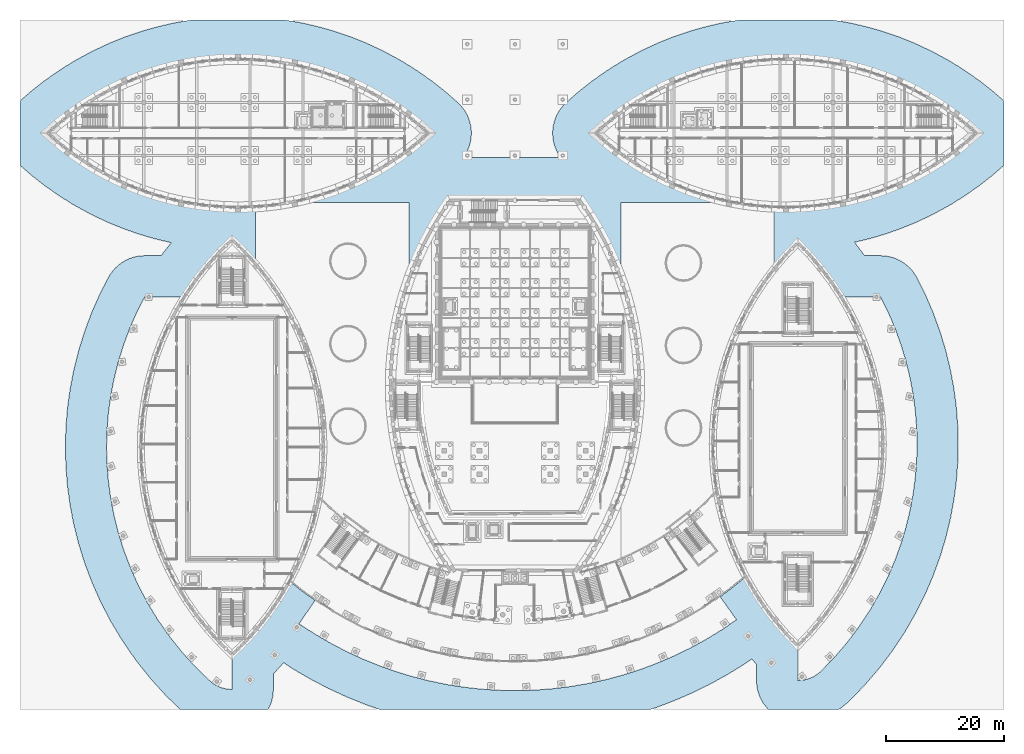
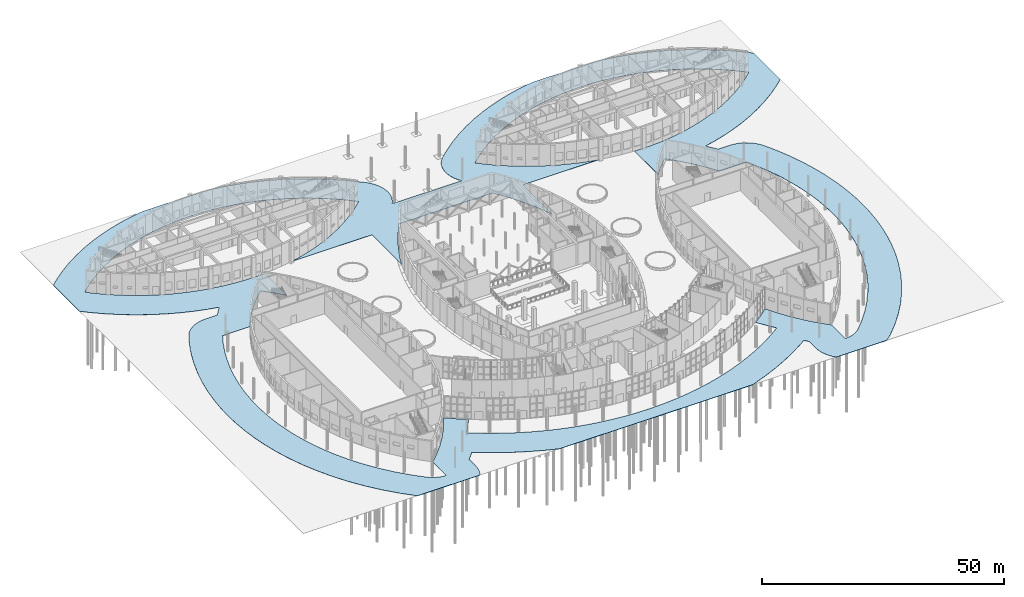
# One storey, part 35 of 82: 1 slab.
"""IFC4 building model written with IfcOpenShell, lengths in metres."""

from ifc_helpers import new_model, si_unit, direction, frame, origin, place, context, subcontext, project, spatial, polyline, outline, extrude, material, layer, layer_set, type_object, element, save


model = new_model("IFC4")

# Units and contexts
model_context = context("Model", 3, precision=1e-05, world=origin(), true_north=direction((0.0, 1.0)))
body_context = subcontext(model_context, "Body", "Model", "MODEL_VIEW")
ifc_project = project(units=[si_unit("LENGTHUNIT", "METRE"), si_unit("AREAUNIT", "SQUARE_METRE"), si_unit("VOLUMEUNIT", "CUBIC_METRE"), si_unit("PLANEANGLEUNIT", "RADIAN"), si_unit("MASSUNIT", "GRAM", prefix="KILO")], contexts=[model_context])

# Site, building, storey
site_placement = place(None, origin())
site = spatial("IfcSite", under=ifc_project, at=site_placement, CompositionType="ELEMENT")
building_placement = place(site_placement, origin())
building = spatial("IfcBuilding", under=site, at=building_placement, Name="Tide Square Theatres", CompositionType="ELEMENT")
storey_placement = place(building_placement, origin())
storey = spatial("IfcBuildingStorey", under=building, at=storey_placement, Name="L00", CompositionType="ELEMENT", Elevation=0.0)

# Slab
ifc_material = material(Name="Concrete C30", Category="concrete")
ifc_layer = layer(ifc_material, 0.10009765625)
ifc_layer_set = layer_set([ifc_layer], Name="Concrete C30")
slab_type = type_object("IfcSlabType", Name="Paving slab 100", PredefinedType="USERDEFINED", material=ifc_layer_set)
slab_placement = place(storey_placement, frame((0.0, 0.0, -0.10009765625)))
element("IfcSlab", 1, at=slab_placement, inside=storey, type_object=slab_type, Name="Forecourt and lane paving", ObjectType="PAVING", PredefinedType="USERDEFINED", context=body_context, shape_type="SweptSolid", body=[
    extrude(outline(polyline([(167.0, 92.347900390625), (167.0, 103.252197265625), (165.361083984375, 104.692138671875), (165.083740234375, 104.923095703125), (163.14306640625, 106.45849609375), (162.8359375, 106.688232421875), (160.5615234375, 108.29296875), (160.223388671875, 108.517333984375), (157.85986328125, 109.987548828125), (157.50927734375, 110.19189453125), (155.064453125, 111.522705078125), (154.702392578125, 111.706298828125), (152.184814453125, 112.893310546875), (151.83056640625, 113.04833984375), (149.49365234375, 113.99609375), (149.1494140625, 114.125244140625), (146.76611328125, 114.94873046875), (146.41552734375, 115.059814453125), (143.9921875, 115.757080078125), (143.63623046875, 115.849365234375), (141.1796875, 116.41845703125), (140.826904296875, 116.490478515625), (138.4482421875, 116.9140625), (138.10009765625, 116.967041015625), (137.83984375, 117.0), (122.16015625, 117.0), (121.89990234375, 116.967041015625), (121.5517578125, 116.9140625), (119.173095703125, 116.490478515625), (118.8203125, 116.41845703125), (116.36376953125, 115.849365234375), (116.0078125, 115.757080078125), (113.58447265625, 115.059814453125), (113.23388671875, 114.94873046875), (110.8505859375, 114.125244140625), (110.50634765625, 113.99609375), (108.16943359375, 113.04833984375), (107.815185546875, 112.893310546875), (105.297607421875, 111.706298828125), (104.935546875, 111.522705078125), (102.49072265625, 110.19189453125), (102.14013671875, 109.987548828125), (99.776611328125, 108.517333984375), (99.4384765625, 108.29296875), (97.1640625, 106.688232421875), (96.85693359375, 106.45849609375), (94.916259765625, 104.923095703125), (94.638916015625, 104.692138671875), (92.77978515625, 103.05859375), (92.278076171875, 102.5712890625), (91.827392578125, 102.0361328125), (91.43212890625, 101.45849609375), (91.0966796875, 100.844482421875), (90.82421875, 100.2001953125), (90.61767578125, 99.53173828125), (90.478515625, 98.845947265625), (90.40869140625, 98.14990234375), (90.40869140625, 97.4501953125), (90.478515625, 96.75390625), (90.61767578125, 96.068359375), (90.82421875, 95.39990234375), (91.0966796875, 94.75537109375), (91.43212890625, 94.141357421875), (91.7734375, 93.642333984375), (75.2265625, 93.642333984375), (75.56787109375, 94.141357421875), (75.9033203125, 94.75537109375), (76.17578125, 95.39990234375), (76.38232421875, 96.068359375), (76.521484375, 96.75390625), (76.59130859375, 97.4501953125), (76.59130859375, 98.14990234375), (76.521484375, 98.845947265625), (76.38232421875, 99.53173828125), (76.17578125, 100.2001953125), (75.9033203125, 100.844482421875), (75.56787109375, 101.45849609375), (75.172607421875, 102.0361328125), (74.721923828125, 102.5712890625), (74.22021484375, 103.05859375), (72.361083984375, 104.692138671875), (72.083740234375, 104.923095703125), (70.14306640625, 106.45849609375), (69.8359375, 106.688232421875), (67.5615234375, 108.29296875), (67.223388671875, 108.517333984375), (64.85986328125, 109.987548828125), (64.50927734375, 110.19189453125), (62.064453125, 111.522705078125), (61.702392578125, 111.706298828125), (59.184814453125, 112.893310546875), (58.83056640625, 113.04833984375), (56.49365234375, 113.99609375), (56.1494140625, 114.125244140625), (53.76611328125, 114.94873046875), (53.41552734375, 115.059814453125), (50.9921875, 115.757080078125), (50.63623046875, 115.849365234375), (48.1796875, 116.41845703125), (47.826904296875, 116.490478515625), (45.4482421875, 116.9140625), (45.10009765625, 116.967041015625), (44.83984375, 117.0), (29.16015625, 117.0), (28.89990234375, 116.967041015625), (28.5517578125, 116.9140625), (26.173095703125, 116.490478515625), (25.8203125, 116.41845703125), (23.36376953125, 115.849365234375), (23.0078125, 115.757080078125), (20.58447265625, 115.059814453125), (20.23388671875, 114.94873046875), (17.8505859375, 114.125244140625), (17.50634765625, 113.99609375), (15.16943359375, 113.04833984375), (14.815185546875, 112.893310546875), (12.297607421875, 111.706298828125), (11.935546875, 111.522705078125), (9.49072265625, 110.19189453125), (9.14013671875, 109.987548828125), (6.776611328125, 108.517333984375), (6.4384765625, 108.29296875), (4.1640625, 106.688232421875), (3.85693359375, 106.45849609375), (1.916259765625, 104.923095703125), (1.638916015625, 104.692138671875), (0.0, 103.252197265625), (0.0, 92.347900390625), (1.638916015625, 90.907958984375), (1.916259765625, 90.6767578125), (3.85693359375, 89.141357421875), (4.1640625, 88.911865234375), (6.4384765625, 87.306884765625), (6.776611328125, 87.082763671875), (9.14013671875, 85.6123046875), (9.49072265625, 85.408203125), (11.935546875, 84.077392578125), (12.297607421875, 83.8935546875), (14.815185546875, 82.706787109375), (15.16943359375, 82.551513671875), (17.50634765625, 81.60400390625), (17.8505859375, 81.474853515625), (20.23388671875, 80.651123046875), (20.58447265625, 80.540283203125), (23.0078125, 79.843017578125), (23.36376953125, 79.75048828125), (25.67333984375, 79.2158203125), (24.258544921875, 77.429931640625), (23.99072265625, 77.068603515625), (23.943359375, 77.0), (21.178955078125, 77.0), (20.484130859375, 76.96533203125), (19.79638671875, 76.862060546875), (19.1220703125, 76.69091796875), (18.468017578125, 76.453857421875), (17.841064453125, 76.15283203125), (17.246826171875, 75.791259765625), (16.69140625, 75.372314453125), (16.180419921875, 74.900390625), (15.71875, 74.380126953125), (15.310791015625, 73.81640625), (14.961181640625, 73.21533203125), (13.7919921875, 70.9541015625), (13.697265625, 70.76416015625), (13.550537109375, 70.4580078125), (13.461669921875, 70.26513671875), (12.35400390625, 67.76220703125), (12.27587890625, 67.578369140625), (12.155029296875, 67.28271484375), (12.082275390625, 67.096923828125), (11.119140625, 64.534912109375), (11.051513671875, 64.346923828125), (10.94775390625, 64.044921875), (10.885498046875, 63.855224609375), (10.070068359375, 61.242431640625), (10.01318359375, 61.051025390625), (9.927001953125, 60.74365234375), (9.87548828125, 60.55078125), (9.21044921875, 57.8955078125), (9.165771484375, 57.7060546875), (9.098388671875, 57.40185546875), (9.05908203125, 57.211181640625), (8.567626953125, 54.654541015625), (8.534423828125, 54.467529296875), (8.485107421875, 54.16796875), (8.45703125, 53.980224609375), (8.10498046875, 51.400634765625), (8.081787109375, 51.212158203125), (8.049072265625, 50.910400390625), (8.031005859375, 50.72119140625), (7.8193359375, 48.12646484375), (7.806396484375, 47.93701171875), (7.7900390625, 47.6337890625), (7.782470703125, 47.444091796875), (7.7119140625, 44.841796875), (7.709228515625, 44.65185546875), (7.709228515625, 44.34814453125), (7.7119140625, 44.158203125), (7.782470703125, 41.555908203125), (7.7900390625, 41.3662109375), (7.806396484375, 41.06298828125), (7.8193359375, 40.87353515625), (8.031005859375, 38.27880859375), (8.049072265625, 38.089599609375), (8.081787109375, 37.787841796875), (8.10498046875, 37.599365234375), (8.45703125, 35.019775390625), (8.485107421875, 34.83203125), (8.534423828125, 34.532470703125), (8.567626953125, 34.345458984375), (9.05908203125, 31.788818359375), (9.098388671875, 31.59814453125), (9.165771484375, 31.2939453125), (9.21044921875, 31.1044921875), (9.87548828125, 28.44921875), (9.927001953125, 28.25634765625), (10.01318359375, 27.948974609375), (10.070068359375, 27.757568359375), (10.885498046875, 25.144775390625), (10.94775390625, 24.955078125), (11.051513671875, 24.653076171875), (11.119140625, 24.465087890625), (12.082275390625, 21.903076171875), (12.155029296875, 21.71728515625), (12.27587890625, 21.421630859375), (12.35400390625, 21.23779296875), (13.461669921875, 18.73486328125), (13.550537109375, 18.5419921875), (13.697265625, 18.23583984375), (13.7919921875, 18.0458984375), (15.208251953125, 15.306884765625), (15.314697265625, 15.10888671875), (15.489990234375, 14.794677734375), (15.602783203125, 14.60009765625), (17.192138671875, 11.957763671875), (17.311279296875, 11.766845703125), (17.50634765625, 11.46484375), (17.63134765625, 11.27783203125), (19.38720703125, 8.742919921875), (19.51806640625, 8.56005859375), (19.732421875, 8.27099609375), (19.869140625, 8.0927734375), (21.783935546875, 5.67578125), (21.927490234375, 5.50048828125), (22.16162109375, 5.223876953125), (22.310546875, 5.053466796875), (24.406982421875, 2.732666015625), (24.562744140625, 2.56591796875), (24.81591796875, 2.30322265625), (24.97705078125, 2.141845703125), (27.181640625, 0.0), (42.118408203125, 0.0), (42.434326171875, 0.6435546875), (42.679931640625, 1.3076171875), (42.857177734375, 1.992919921875), (42.964111328125, 2.69287109375), (43.0, 3.39990234375), (43.0, 6.041015625), (43.120849609375, 6.158447265625), (43.4375, 6.48681640625), (44.726806640625, 7.9140625), (46.112060546875, 7.012451171875), (46.39111328125, 6.83984375), (49.012451171875, 5.303466796875), (49.29931640625, 5.14404296875), (51.98974609375, 3.732421875), (52.283935546875, 3.586669921875), (55.03759765625, 2.302490234375), (55.338134765625, 2.170654296875), (58.14892578125, 1.01708984375), (58.455322265625, 0.899658203125), (60.977783203125, 0.0), (107.01025390625, 0.0), (107.609375, 0.194580078125), (107.919189453125, 0.302978515625), (110.76171875, 1.375732421875), (111.066162109375, 1.498779296875), (113.85546875, 2.703369140625), (114.153564453125, 2.840576171875), (116.88330078125, 4.1748046875), (117.1748046875, 4.32568359375), (119.839111328125, 5.7861328125), (120.123046875, 5.95068359375), (122.716064453125, 7.53466796875), (122.991943359375, 7.712158203125), (124.214599609375, 8.5400390625), (124.55712890625, 8.138916015625), (124.856201171875, 7.810546875), (125.0, 7.662353515625), (125.0, 4.89990234375), (125.03173828125, 4.234375), (125.126708984375, 3.57470703125), (125.28369140625, 2.927001953125), (125.501953125, 2.297119140625), (125.77880859375, 1.69091796875), (126.1123046875, 1.11376953125), (126.4990234375, 0.571044921875), (126.935791015625, 0.0673828125), (127.006591796875, 0.0), (138.951904296875, 0.0), (139.40234375, 0.30859375), (139.84814453125, 0.647705078125), (140.383544921875, 1.09912109375), (140.793212890625, 1.48095703125), (141.043212890625, 1.72607421875), (143.1630859375, 3.9111328125), (143.315185546875, 4.072998046875), (143.55419921875, 4.33544921875), (143.701171875, 4.501953125), (145.67822265625, 6.81689453125), (145.8173828125, 6.9853515625), (146.035888671875, 7.2578125), (146.169921875, 7.430419921875), (147.9384765625, 9.78369140625), (148.064697265625, 9.957275390625), (148.262451171875, 10.238037109375), (148.383544921875, 10.415283203125), (150.00439453125, 12.872802734375), (150.119873046875, 13.0537109375), (150.300048828125, 13.34619140625), (150.409912109375, 13.530517578125), (151.877197265625, 16.08251953125), (151.9814453125, 16.270263671875), (152.143310546875, 16.5732421875), (152.24169921875, 16.763916015625), (153.5498046875, 19.401123046875), (153.637451171875, 19.5849609375), (153.773681640625, 19.880615234375), (153.856201171875, 20.06689453125), (154.88916015625, 22.49462890625), (154.9619140625, 22.6728515625), (155.07470703125, 22.959228515625), (155.142578125, 23.13916015625), (156.040771484375, 25.6201171875), (156.103759765625, 25.802001953125), (156.200439453125, 26.09423828125), (156.258544921875, 26.277587890625), (157.018798828125, 28.80419921875), (157.07177734375, 28.9892578125), (157.15234375, 29.286376953125), (157.2001953125, 29.47265625), (157.820556640625, 32.037353515625), (157.8623046875, 32.220703125), (157.92529296875, 32.514892578125), (157.9619140625, 32.69921875), (158.421875, 35.175048828125), (158.452880859375, 35.35595703125), (158.4990234375, 35.64599609375), (158.525390625, 35.827880859375), (158.854736328125, 38.32421875), (158.87646484375, 38.506591796875), (158.9072265625, 38.798828125), (158.924072265625, 38.981689453125), (159.1220703125, 41.4921875), (159.134033203125, 41.67529296875), (159.1494140625, 41.96875), (159.15673828125, 42.152099609375), (159.222900390625, 44.66943359375), (159.22509765625, 44.85302734375), (159.22509765625, 45.14697265625), (159.222900390625, 45.33056640625), (159.15673828125, 47.847900390625), (159.1494140625, 48.03125), (159.134033203125, 48.32470703125), (159.1220703125, 48.5078125), (158.924072265625, 51.018310546875), (158.9072265625, 51.201171875), (158.87646484375, 51.493408203125), (158.854736328125, 51.67578125), (158.525390625, 54.172119140625), (158.4990234375, 54.35400390625), (158.452880859375, 54.64404296875), (158.421875, 54.824951171875), (157.9619140625, 57.30078125), (157.92529296875, 57.485107421875), (157.8623046875, 57.779296875), (157.820556640625, 57.962646484375), (157.2001953125, 60.52734375), (157.15234375, 60.713623046875), (157.07177734375, 61.0107421875), (157.018798828125, 61.19580078125), (156.258544921875, 63.722412109375), (156.200439453125, 63.90576171875), (156.103759765625, 64.197998046875), (156.040771484375, 64.3798828125), (155.142578125, 66.86083984375), (155.07470703125, 67.040771484375), (154.9619140625, 67.3271484375), (154.88916015625, 67.50537109375), (153.856201171875, 69.93310546875), (153.773681640625, 70.119384765625), (153.637451171875, 70.4150390625), (153.5498046875, 70.598876953125), (152.303955078125, 73.1103515625), (151.95849609375, 73.7265625), (151.552978515625, 74.3046875), (151.091064453125, 74.839111328125), (150.57763671875, 75.32421875), (150.01806640625, 75.7548828125), (149.417724609375, 76.127197265625), (148.783203125, 76.43701171875), (148.12060546875, 76.681396484375), (147.4365234375, 76.85791015625), (146.73828125, 76.96435546875), (146.032958984375, 77.0), (143.350341796875, 77.0), (141.693115234375, 79.205322265625), (141.628662109375, 79.28564453125), (143.63623046875, 79.75048828125), (143.9921875, 79.843017578125), (146.41552734375, 80.540283203125), (146.76611328125, 80.651123046875), (149.1494140625, 81.474853515625), (149.49365234375, 81.60400390625), (151.83056640625, 82.551513671875), (152.184814453125, 82.706787109375), (154.702392578125, 83.8935546875), (155.064453125, 84.077392578125), (157.50927734375, 85.408203125), (157.85986328125, 85.6123046875), (160.223388671875, 87.082763671875), (160.5615234375, 87.306884765625), (162.8359375, 88.911865234375), (163.14306640625, 89.141357421875), (165.083740234375, 90.6767578125), (165.361083984375, 90.907958984375), (167.0, 92.347900390625)]), holes=[polyline([(21.178955078125, 70.02001953125), (21.167724609375, 70.0166015625), (19.991943359375, 67.748046875), (19.844970703125, 67.44140625), (18.737060546875, 64.937744140625), (18.615966796875, 64.6416015625), (17.652587890625, 62.078857421875), (17.548583984375, 61.7763671875), (16.73291015625, 59.162841796875), (16.646484375, 58.85498046875), (15.981201171875, 56.19921875), (15.913818359375, 55.89453125), (15.42236328125, 53.33740234375), (15.373046875, 53.037109375), (15.02099609375, 50.45703125), (14.988037109375, 50.154541015625), (14.7763671875, 47.55908203125), (14.759765625, 47.25537109375), (14.689208984375, 44.65234375), (14.689208984375, 44.34814453125), (14.759765625, 41.7451171875), (14.7763671875, 41.44140625), (14.98779296875, 38.845947265625), (15.020751953125, 38.54345703125), (15.372802734375, 35.96337890625), (15.422119140625, 35.6630859375), (15.91357421875, 33.106201171875), (15.98095703125, 32.801513671875), (16.646240234375, 30.145751953125), (16.73291015625, 29.837646484375), (17.548583984375, 27.22412109375), (17.652587890625, 26.921630859375), (18.61572265625, 24.35888671875), (18.73681640625, 24.06298828125), (19.8447265625, 21.55908203125), (19.99169921875, 21.25244140625), (21.408203125, 18.512939453125), (21.583984375, 18.1982421875), (23.173583984375, 15.555419921875), (23.369140625, 15.252685546875), (25.125244140625, 12.717041015625), (25.33984375, 12.427490234375), (27.2548828125, 10.010009765625), (27.489501953125, 9.73291015625), (29.58642578125, 7.411865234375), (29.840087890625, 7.148681640625), (32.083984375, 4.968994140625), (32.4892578125, 4.611572265625), (32.927734375, 4.294189453125), (33.394775390625, 4.020263671875), (33.885986328125, 3.792724609375), (34.39697265625, 3.613525390625), (34.922607421875, 3.484375), (35.458251953125, 3.40625), (35.9990234375, 3.3798828125), (36.010498046875, 3.383056640625), (36.018310546875, 3.39208984375), (36.02001953125, 8.991455078125), (38.257080078125, 11.164794921875), (40.354736328125, 13.486572265625), (42.270263671875, 15.904541015625), (44.02685546875, 18.4404296875), (45.61669921875, 21.083984375), (45.89892578125, 21.629638671875), (48.123779296875, 19.882568359375), (50.07568359375, 18.501708984375), (47.367919921875, 14.5478515625), (47.364501953125, 14.53662109375), (47.367919921875, 14.525390625), (49.919921875, 12.8623046875), (52.5419921875, 11.3251953125), (55.233154296875, 9.9130859375), (57.98779296875, 8.62841796875), (60.79931640625, 7.474365234375), (63.662109375, 6.453369140625), (66.5693359375, 5.567626953125), (69.51513671875, 4.819091796875), (72.49267578125, 4.209716796875), (75.495361328125, 3.740234375), (78.51708984375, 3.412353515625), (81.550537109375, 3.226318359375), (84.589599609375, 3.1826171875), (87.627197265625, 3.281494140625), (90.656982421875, 3.522705078125), (93.672119140625, 3.90576171875), (96.665771484375, 4.429443359375), (99.631591796875, 5.093017578125), (102.563232421875, 5.89501953125), (105.4541015625, 6.83349609375), (108.297607421875, 7.90625), (111.087890625, 9.111328125), (113.818603515625, 10.44580078125), (116.483642578125, 11.90673828125), (119.077392578125, 13.4912109375), (121.593994140625, 15.1953125), (121.601318359375, 15.20458984375), (121.602294921875, 15.21630859375), (118.8203125, 19.126220703125), (120.819580078125, 20.6005859375), (123.009521484375, 22.391357421875), (123.0283203125, 22.35400390625), (124.49609375, 19.80078125), (126.11767578125, 17.34228515625), (127.886962890625, 14.988037109375), (129.864990234375, 12.672119140625), (131.97998046875, 10.491943359375), (131.97998046875, 4.89990234375), (131.983154296875, 4.88916015625), (131.99169921875, 4.8818359375), (132.560302734375, 4.907958984375), (133.1162109375, 4.991943359375), (133.660888671875, 5.131103515625), (134.18896484375, 5.32373046875), (134.695068359375, 5.568359375), (135.17431640625, 5.8623046875), (135.62158203125, 6.20263671875), (136.03271484375, 6.5859375), (138.153564453125, 8.771484375), (138.39306640625, 9.03466796875), (140.37060546875, 11.35009765625), (140.589599609375, 11.623291015625), (142.3583984375, 13.97705078125), (142.556640625, 14.25830078125), (144.177978515625, 16.716064453125), (144.3583984375, 17.009033203125), (145.825927734375, 19.5615234375), (145.98828125, 19.864990234375), (147.296630859375, 22.502685546875), (147.43310546875, 22.799072265625), (148.46630859375, 25.2275390625), (148.5791015625, 25.514404296875), (149.4775390625, 27.99609375), (149.574462890625, 28.288818359375), (150.3349609375, 30.81591796875), (150.415771484375, 31.113525390625), (151.036376953125, 33.678466796875), (151.099365234375, 33.97314453125), (151.55908203125, 36.44970703125), (151.60546875, 36.740234375), (151.934814453125, 39.2373046875), (151.965576171875, 39.530029296875), (152.163818359375, 42.041015625), (152.17919921875, 42.334716796875), (152.2451171875, 44.8525390625), (152.2451171875, 45.14697265625), (152.17919921875, 47.664794921875), (152.163818359375, 47.95849609375), (151.9658203125, 50.469482421875), (151.934814453125, 50.76220703125), (151.60546875, 53.25927734375), (151.559326171875, 53.5498046875), (151.099365234375, 56.026123046875), (151.036376953125, 56.32080078125), (150.416015625, 58.885986328125), (150.335205078125, 59.18359375), (149.57470703125, 61.710693359375), (149.477783203125, 62.00341796875), (148.579345703125, 64.485107421875), (148.466552734375, 64.77197265625), (147.433349609375, 67.200439453125), (147.296875, 67.49658203125), (146.05078125, 70.0087890625), (146.04248046875, 70.017578125), (139.60693359375, 70.02001953125), (139.50390625, 70.19921875), (137.88232421875, 72.65771484375), (136.113037109375, 75.011962890625), (134.135009765625, 77.327880859375), (132.014404296875, 79.513916015625), (132.00390625, 79.51953125), (131.9921875, 79.518310546875), (129.86572265625, 77.328857421875), (128.02001953125, 75.16796875), (128.02001953125, 85.06103515625), (129.99951171875, 85.01123046875), (132.415771484375, 85.072021484375), (134.825927734375, 85.25439453125), (137.223876953125, 85.5576171875), (139.603515625, 85.981201171875), (142.06103515625, 86.550537109375), (144.4853515625, 87.248046875), (146.86962890625, 88.072021484375), (149.20751953125, 89.02001953125), (151.726318359375, 90.207275390625), (154.171875, 91.53857421875), (156.536376953125, 93.009521484375), (158.8115234375, 94.614990234375), (160.75341796875, 96.15087890625), (162.61328125, 97.784912109375), (162.619384765625, 97.795166015625), (162.618896484375, 97.806884765625), (160.754150390625, 99.448486328125), (158.8125, 100.984375), (156.537353515625, 102.58984375), (154.1728515625, 104.060791015625), (151.727294921875, 105.39208984375), (149.20849609375, 106.57958984375), (146.87060546875, 107.527587890625), (144.486328125, 108.3515625), (142.06201171875, 109.049072265625), (139.6044921875, 109.618408203125), (137.224853515625, 110.0419921875), (134.826904296875, 110.345458984375), (132.416748046875, 110.52783203125), (130.00048828125, 110.5888671875), (127.584228515625, 110.528076171875), (125.174072265625, 110.345703125), (122.776123046875, 110.042236328125), (120.396484375, 109.61865234375), (117.93896484375, 109.04931640625), (115.5146484375, 108.351806640625), (113.13037109375, 107.528076171875), (110.79248046875, 106.580078125), (108.273681640625, 105.392578125), (105.828125, 104.061279296875), (103.463623046875, 102.590576171875), (101.1884765625, 100.985107421875), (99.24658203125, 99.44921875), (97.38671875, 97.81494140625), (97.380615234375, 97.804931640625), (97.381103515625, 97.793212890625), (99.245849609375, 96.151611328125), (101.1875, 94.615478515625), (103.462646484375, 93.010009765625), (105.8271484375, 91.539306640625), (108.272705078125, 90.207763671875), (110.79150390625, 89.0205078125), (113.12939453125, 88.072509765625), (115.513671875, 87.248291015625), (117.93798828125, 86.55078125), (120.2294921875, 86.02001953125), (102.0, 86.02001953125), (101.989013671875, 86.0166015625), (101.9814453125, 86.0078125), (101.97998046875, 73.77734375), (101.062744140625, 76.102294921875), (99.79931640625, 78.861572265625), (98.3828125, 81.54541015625), (96.818115234375, 84.1455078125), (95.109619140625, 86.65380859375), (95.1005859375, 86.660888671875), (72.906982421875, 86.662353515625), (72.89599609375, 86.6591796875), (71.1826171875, 84.146484375), (69.61767578125, 81.54638671875), (68.201171875, 78.862548828125), (66.9375, 76.103271484375), (66.02001953125, 73.77734375), (66.02001953125, 86.0), (66.0166015625, 86.010986328125), (66.0078125, 86.0185546875), (46.7705078125, 86.02001953125), (49.06103515625, 86.550537109375), (51.4853515625, 87.248046875), (53.86962890625, 88.072021484375), (56.20751953125, 89.02001953125), (58.726318359375, 90.207275390625), (61.171875, 91.53857421875), (63.536376953125, 93.009521484375), (65.8115234375, 94.614990234375), (67.75341796875, 96.15087890625), (69.61328125, 97.784912109375), (69.619384765625, 97.795166015625), (69.618896484375, 97.806884765625), (67.754150390625, 99.448486328125), (65.8125, 100.984375), (63.537353515625, 102.58984375), (61.1728515625, 104.060791015625), (58.727294921875, 105.39208984375), (56.20849609375, 106.57958984375), (53.87060546875, 107.527587890625), (51.486328125, 108.3515625), (49.06201171875, 109.049072265625), (46.6044921875, 109.618408203125), (44.224853515625, 110.0419921875), (41.826904296875, 110.345458984375), (39.416748046875, 110.52783203125), (37.00048828125, 110.5888671875), (34.584228515625, 110.528076171875), (32.174072265625, 110.345703125), (29.776123046875, 110.042236328125), (27.396484375, 109.61865234375), (24.93896484375, 109.04931640625), (22.5146484375, 108.351806640625), (20.13037109375, 107.528076171875), (17.79248046875, 106.580078125), (15.273681640625, 105.392578125), (12.828125, 104.061279296875), (10.463623046875, 102.590576171875), (8.1884765625, 100.985107421875), (6.24658203125, 99.44921875), (4.38671875, 97.81494140625), (4.380615234375, 97.804931640625), (4.381103515625, 97.793212890625), (6.245849609375, 96.151611328125), (8.1875, 94.615478515625), (10.462646484375, 93.010009765625), (12.8271484375, 91.539306640625), (15.272705078125, 90.207763671875), (17.79150390625, 89.0205078125), (20.12939453125, 88.072509765625), (22.513671875, 87.248291015625), (24.93798828125, 86.55078125), (27.3955078125, 85.9814453125), (29.775146484375, 85.557861328125), (32.173095703125, 85.25439453125), (34.583251953125, 85.072021484375), (36.99951171875, 85.01123046875), (39.415771484375, 85.072021484375), (39.97998046875, 85.11474609375), (39.97998046875, 75.92822265625), (38.258056640625, 77.833984375), (36.013916015625, 80.014404296875), (36.00390625, 80.01953125), (35.992431640625, 80.0185546875), (33.742919921875, 77.835205078125), (31.645263671875, 75.513427734375), (29.729736328125, 73.095458984375), (27.97314453125, 70.5595703125), (27.648681640625, 70.02001953125), (21.178955078125, 70.02001953125)])]), origin(), (0.0, 0.0, 1.0), 0.10009765625),
])

save(model, "model.ifc")
